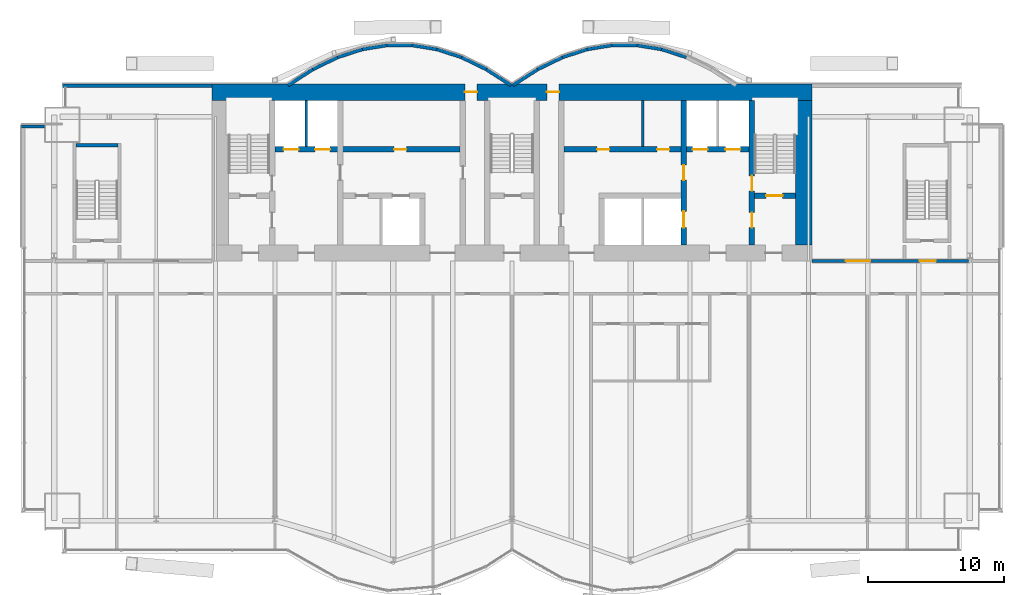
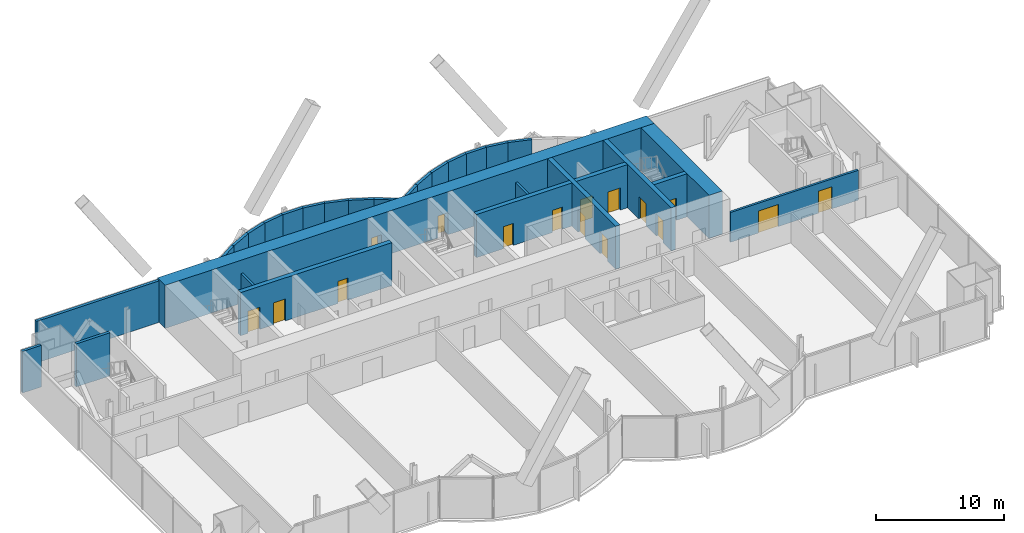
# One storey, part 18 of 22: 29 walls, 16 doors, 16 openings.
"""IFC4 building model written with IfcOpenShell, lengths in metres."""

import ifcopenshell
import ifcopenshell.guid

model = None  # the IFC model being written
_history = None  # IfcOwnerHistory: only IFC2X3 demands one
_inside = {}  # id of a spatial element -> (the spatial element, [elements in it])
_under = {}  # id of a project, library or spatial element -> (it, [spatial elements below it])
_declared = {}  # id of a project -> (the project, [libraries it declares])
_typed = {}  # id of a type object -> (the type object, [elements of that type])
_made_of = {}  # id of a material, layer set ... -> (it, [elements and type objects made of it])


def new_model(schema):
    """Start an empty IFC model of exactly this schema.

    Asked for "IFC4X3", IfcOpenShell would pick the latest addendum, in which some entities
    have other attributes; the version numbers below select the first issue.
    IFC2X3 requires an IfcOwnerHistory on every rooted entity: one is made here for all.
    """
    global model, _history
    if schema == "IFC4X3":
        model = ifcopenshell.file(schema_version=(4, 3, 0, 0))
    else:
        model = ifcopenshell.file(schema=schema)
    _inside.clear()
    _under.clear()
    _declared.clear()
    _typed.clear()
    _made_of.clear()
    _history = None
    if model.schema == "IFC2X3":
        org = make("IfcOrganization", Name="unknown")
        user = make(
            "IfcPersonAndOrganization",
            ThePerson=make("IfcPerson", FamilyName="unknown"),
            TheOrganization=org,
        )
        app = make(
            "IfcApplication",
            ApplicationDeveloper=org,
            Version="unknown",
            ApplicationFullName="unknown",
            ApplicationIdentifier="unknown",
        )
        _history = make(
            "IfcOwnerHistory",
            OwningUser=user,
            OwningApplication=app,
            ChangeAction="ADDED",
            CreationDate=0,
        )
    return model


def make(cls, **values):
    """One entity of the class cls with the attributes given. An attribute that is None is left unset."""
    return model.create_entity(
        cls, **{name: value for name, value in values.items() if value is not None}
    )


def rooted(cls, **values):
    """An entity with a GlobalId (a new one), such as an element, a storey or a relation."""
    return make(cls, GlobalId=ifcopenshell.guid.new(), OwnerHistory=_history, **values)


def si_unit(unit_type, name, prefix=None):
    """IfcSIUnit, for example si_unit("LENGTHUNIT", "METRE", prefix="MILLI")."""
    return make("IfcSIUnit", UnitType=unit_type, Prefix=prefix, Name=name)


def assignment(units):
    """IfcUnitAssignment: the units of a project."""
    return None if units is None else make("IfcUnitAssignment", Units=units)


def point(xyz):
    """IfcCartesianPoint."""
    return None if xyz is None else make("IfcCartesianPoint", Coordinates=xyz)


def direction(xyz):
    """IfcDirection."""
    return None if xyz is None else make("IfcDirection", DirectionRatios=xyz)


def frame(location, z_axis=None, x_axis=None):
    """IfcAxis2Placement3D, a coordinate frame: its origin and axes. An axis left out is left unset."""
    return make(
        "IfcAxis2Placement3D",
        Location=point(location),
        Axis=direction(z_axis),
        RefDirection=direction(x_axis),
    )


def frame_2d(location, x_axis=None):
    """IfcAxis2Placement2D, a coordinate frame in the plane: its origin and x axis."""
    return make(
        "IfcAxis2Placement2D", Location=point(location), RefDirection=direction(x_axis)
    )


def origin():
    """The frame at (0, 0, 0) with its axes left unset."""
    return frame((0.0, 0.0, 0.0))


def place(relative_to, where):
    """IfcLocalPlacement: puts the frame where relative to a parent placement (None: the world)."""
    return make(
        "IfcLocalPlacement", PlacementRelTo=relative_to, RelativePlacement=where
    )


def context(
    kind, dimensions, precision=None, world=None, true_north=None, identifier=None
):
    """IfcGeometricRepresentationContext, for example the 3D "Model" context."""
    return make(
        "IfcGeometricRepresentationContext",
        ContextIdentifier=identifier,
        ContextType=kind,
        CoordinateSpaceDimension=dimensions,
        Precision=precision,
        WorldCoordinateSystem=world,
        TrueNorth=true_north,
    )


def subcontext(parent, identifier, kind, view, scale=None):
    """IfcGeometricRepresentationSubContext, for example "Body" below "Model"."""
    return make(
        "IfcGeometricRepresentationSubContext",
        ContextIdentifier=identifier,
        ContextType=kind,
        ParentContext=parent,
        TargetScale=scale,
        TargetView=view,
    )


def project(units=None, contexts=None):
    """IfcProject with its units and contexts."""
    return rooted(
        "IfcProject",
        Name="project",
        RepresentationContexts=contexts,
        UnitsInContext=assignment(units),
    )


def spatial(cls, under=None, at=None, **own):
    """A site, building, storey or space (cls), placed at a placement, below another one or the project."""
    s = rooted(cls, ObjectPlacement=at, **own)
    if under is not None:
        _under.setdefault(under.id(), (under, []))[1].append(s)
    return s


def profile(cls, at=None, kind="AREA", **sizes):
    """A parametric profile (cls). Its sizes go by their IFC names, for example OverallWidth=200.0."""
    return make(cls, ProfileType=kind, Position=at, **sizes)


def rectangle(**sizes):
    """IfcRectangleProfileDef."""
    return profile("IfcRectangleProfileDef", **sizes)


def extrude(swept, where, along, depth):
    """IfcExtrudedAreaSolid: the profile swept, set in the frame where, extruded along a direction by depth."""
    return make(
        "IfcExtrudedAreaSolid",
        SweptArea=swept,
        Position=where,
        ExtrudedDirection=direction(along),
        Depth=depth,
    )


def shape(context_of_items, identifier, shape_type, items):
    """IfcShapeRepresentation: the items that make up one representation, for example the "Body"."""
    return make(
        "IfcShapeRepresentation",
        ContextOfItems=context_of_items,
        RepresentationIdentifier=identifier,
        RepresentationType=shape_type,
        Items=items,
    )


def material(Name=None, Category=None):
    """IfcMaterial."""
    return make("IfcMaterial", Name=Name, Category=Category)


def layer(
    of_material, thickness, ventilated=None, Name=None, Category=None, Priority=None
):
    """IfcMaterialLayer: one layer of a wall or slab, of a material (None: an air gap)."""
    return make(
        "IfcMaterialLayer",
        Material=of_material,
        LayerThickness=thickness,
        IsVentilated=ventilated,
        Name=Name,
        Category=Category,
        Priority=Priority,
    )


def layer_set(layers, Name=None):
    """IfcMaterialLayerSet."""
    return make("IfcMaterialLayerSet", MaterialLayers=layers, LayerSetName=Name)


def layer_usage(for_layer_set, set_direction, sense, offset, extent=None):
    """IfcMaterialLayerSetUsage: how a layer set lies in its element."""
    return make(
        "IfcMaterialLayerSetUsage",
        ForLayerSet=for_layer_set,
        LayerSetDirection=set_direction,
        DirectionSense=sense,
        OffsetFromReferenceLine=offset,
        ReferenceExtent=extent,
    )


def made_of(thing, what):
    """Note that an element or type object is made of a material, layer set ...; save() writes the relation."""
    if what is not None:
        _made_of.setdefault(what.id(), (what, []))[1].append(thing)
    return thing


def type_object(cls, material=None, **own):
    """A type object (cls), such as IfcWallType, which elements share."""
    return made_of(rooted(cls, **own), material)


def element(
    cls,
    number,
    at=None,
    inside=None,
    cuts=None,
    type_object=None,
    material=None,
    context=None,
    identifier="Body",
    shape_type=None,
    held_by="IfcProductDefinitionShape",
    body=None,
    shapes=None,
    **own,
):
    """One element of the class cls, such as IfcWall. Its Tag is "e" and its number.

    at: its placement. inside: the storey or other place that contains it. cuts: it is an
    opening in that element (IfcRelVoidsElement). A single representation is given by context,
    identifier, shape_type and body (its items); several are given by shapes. held_by: the class
    of the entity that holds the representations. save() writes the other relations.
    """
    e = rooted(cls, Tag="e%d" % number, ObjectPlacement=at, **own)
    if body is not None:
        shapes = [shape(context, identifier, shape_type, body)]
    if shapes is not None:
        e.Representation = make(held_by, Representations=shapes)
    if inside is not None:
        _inside.setdefault(inside.id(), (inside, []))[1].append(e)
    if cuts is not None:
        rooted(
            "IfcRelVoidsElement", RelatingBuildingElement=cuts, RelatedOpeningElement=e
        )
    if type_object is not None:
        _typed.setdefault(type_object.id(), (type_object, []))[1].append(e)
    return made_of(e, material)


def fill(opening, filler):
    """IfcRelFillsElement: the door or window that sits in an opening."""
    return rooted(
        "IfcRelFillsElement",
        RelatingOpeningElement=opening,
        RelatedBuildingElement=filler,
    )


def aggregate(whole, parts):
    """IfcRelAggregates: a whole, such as a stair, and the parts it consists of."""
    return rooted("IfcRelAggregates", RelatingObject=whole, RelatedObjects=parts)


def save(model, path):
    """Write the relations noted so far, then the file.

    IfcRelAggregates (storeys below a building ...), IfcRelContainedInSpatialStructure (elements
    in a storey), IfcRelDefinesByType, IfcRelAssociatesMaterial and IfcRelDeclares: one each for
    every whole, place, type object, material and project.
    """
    for whole, parts in _under.values():
        aggregate(whole, parts)
    for where, things in _inside.values():
        rooted(
            "IfcRelContainedInSpatialStructure",
            RelatedElements=things,
            RelatingStructure=where,
        )
    for kind, things in _typed.values():
        rooted("IfcRelDefinesByType", RelatedObjects=things, RelatingType=kind)
    for what, things in _made_of.values():
        rooted("IfcRelAssociatesMaterial", RelatedObjects=things, RelatingMaterial=what)
    for by, libraries in _declared.values():
        rooted("IfcRelDeclares", RelatingContext=by, RelatedDefinitions=libraries)
    model.write(path)


model = new_model("IFC4")

# Units and contexts
model_context = context("Model", 3, precision=1e-05, world=origin(), true_north=direction((0.0, 1.0)))
body_context = subcontext(model_context, "Body", "Model", "MODEL_VIEW")
ifc_project = project(units=[si_unit("LENGTHUNIT", "METRE"), si_unit("AREAUNIT", "SQUARE_METRE"), si_unit("VOLUMEUNIT", "CUBIC_METRE"), si_unit("PLANEANGLEUNIT", "RADIAN"), si_unit("MASSUNIT", "GRAM", prefix="KILO")], contexts=[model_context])

# Site, building, storey
site_placement = place(None, origin())
site = spatial("IfcSite", under=ifc_project, at=site_placement, CompositionType="ELEMENT")
building_placement = place(site_placement, origin())
building = spatial("IfcBuilding", under=site, at=building_placement, Name="Bicima Exchange Tower", CompositionType="ELEMENT")
storey_placement = place(building_placement, frame((0.0, 0.0, 169.10009765625)))
storey = spatial("IfcBuildingStorey", under=building, at=storey_placement, Name="L37", CompositionType="ELEMENT", Elevation=169.10009765625)

# Wall
ifc_material_1 = material(Name="Gypsum board partition")
ifc_layer_1 = layer(ifc_material_1, 0.199951171875)
ifc_layer_set_1 = layer_set([ifc_layer_1], Name="Gypsum board partition")
wall_type_1 = type_object("IfcWallType", Name="Fire-rated gypsum partition 200 EI120", PredefinedType="PARTITIONING", material=ifc_layer_set_1)
wall_1_placement = place(storey_placement, frame((-15.10009765625, -4.60009765625, 0.0), z_axis=(0.0, 0.0, 1.0), x_axis=(0.0, 1.0, 0.0)))
element("IfcWall", 1, at=wall_1_placement, inside=storey, type_object=wall_type_1, Name="partition wall 9", PredefinedType="PARTITIONING", context=body_context, shape_type="SweptSolid", body=[
    extrude(rectangle(XDim=3.400146484375, YDim=0.199951171875, at=frame_2d((1.7001953125, 0.0))), origin(), (0.0, 0.0, 1.0), 2.840087890625),
])

# Wall, openings, doors
ifc_layer_2 = layer(ifc_material_1, 0.199951171875)
ifc_layer_set_2 = layer_set([ifc_layer_2], Name="Gypsum board partition")
wall_type_2 = type_object("IfcWallType", Name="Fire-rated gypsum partition 200 EI60", PredefinedType="PARTITIONING", material=ifc_layer_set_2)
wall_2_placement = place(storey_placement, frame((22.0, -13.0, 0.0), z_axis=(0.0, 0.0, 1.0), x_axis=(1.0, 0.0, 0.0)))
wall_2 = element("IfcWall", 2, at=wall_2_placement, inside=storey, type_object=wall_type_2, Name="partition wall 6", PredefinedType="PARTITIONING", context=body_context, shape_type="SweptSolid", body=[
    extrude(rectangle(XDim=11.47998046875, YDim=0.199951171875, at=frame_2d((5.739990234375, 0.0))), origin(), (0.0, 0.0, 1.0), 2.840087890625),
])
opening_1_placement = place(wall_2_placement, frame((7.89990234375, 0.0, 0.0)))
opening_1 = element("IfcOpeningElement", 3, at=opening_1_placement, cuts=wall_2, Name="Opening L37-003", PredefinedType="OPENING", context=body_context, shape_type="SweptSolid", body=[
    extrude(rectangle(XDim=1.199951171875, YDim=2.10009765625, at=frame_2d((0.60009765625, 1.050048828125))), frame((0.0, 0.11181640625, 0.0), z_axis=(0.0, -1.0, 0.0), x_axis=(1.0, 0.0, 0.0)), (0.0, 0.0, 1.0), 0.223876953125),
])
opening_2_placement = place(wall_2_placement, frame((2.5, 0.0, 0.0)))
opening_2 = element("IfcOpeningElement", 4, at=opening_2_placement, cuts=wall_2, Name="Opening L37-006", PredefinedType="OPENING", context=body_context, shape_type="SweptSolid", body=[
    extrude(rectangle(XDim=1.800048828125, YDim=2.10009765625, at=frame_2d((0.89990234375, 1.050048828125))), frame((0.0, 0.11181640625, 0.0), z_axis=(0.0, -1.0, 0.0), x_axis=(1.0, 0.0, 0.0)), (0.0, 0.0, 1.0), 0.223876953125),
])
ifc_material_2 = material(Name="Steel fire door leaf", Category="steel")
door_type_1 = type_object("IfcDoorType", Name="Door 1200 swing FD30S", OperationType="SINGLE_SWING_LEFT", PredefinedType="DOOR", material=ifc_material_2)
door_1_placement = place(opening_1_placement, origin())
door_1 = element("IfcDoor", 5, at=door_1_placement, inside=storey, type_object=door_type_1, Name="Door", OperationType="SINGLE_SWING_RIGHT", OverallHeight=2.10009765625, OverallWidth=1.199951171875, PredefinedType="DOOR", context=body_context, shape_type="SweptSolid", body=[
    extrude(rectangle(XDim=1.199951171875, YDim=2.10009765625, at=frame_2d((0.60009765625, 1.050048828125))), frame((0.0, 0.02490234375, 0.0), z_axis=(0.0, -1.0, 0.0), x_axis=(1.0, 0.0, 0.0)), (0.0, 0.0, 1.0), 0.050048828125),
])
fill(opening_1, door_1)
door_type_2 = type_object("IfcDoorType", Name="Door 1800 double swing FD30S", OperationType="DOUBLE_DOOR_SINGLE_SWING", PredefinedType="DOOR", material=ifc_material_2)
door_2_placement = place(opening_2_placement, origin())
door_2 = element("IfcDoor", 6, at=door_2_placement, inside=storey, type_object=door_type_2, Name="Door", OperationType="SINGLE_SWING_LEFT", OverallHeight=2.10009765625, OverallWidth=1.800048828125, PredefinedType="DOOR", context=body_context, shape_type="SweptSolid", body=[
    extrude(rectangle(XDim=1.800048828125, YDim=2.10009765625, at=frame_2d((0.89990234375, 1.050048828125))), frame((0.0, 0.02490234375, 0.0), z_axis=(0.0, -1.0, 0.0), x_axis=(1.0, 0.0, 0.0)), (0.0, 0.0, 1.0), 0.050048828125),
])
fill(opening_2, door_2)

# Wall
wall_3_placement = place(storey_placement, frame((9.60009765625, -4.60009765625, 0.0), z_axis=(0.0, 0.0, 1.0), x_axis=(0.0, 1.0, 0.0)))
element("IfcWall", 7, at=wall_3_placement, inside=storey, type_object=wall_type_2, Name="partition wall 19", PredefinedType="PARTITIONING", context=body_context, shape_type="SweptSolid", body=[
    extrude(rectangle(XDim=3.400146484375, YDim=0.199951171875, at=frame_2d((1.7001953125, 0.0))), origin(), (0.0, 0.0, 1.0), 2.840087890625),
])

# Wall, openings, doors
ifc_material_3 = material(Name="Concrete C50/60", Category="concrete")
ifc_layer_3 = layer(ifc_material_3, 1.199951171875)
ifc_layer_set_3 = layer_set([ifc_layer_3], Name="Concrete C50/60")
wall_type_3 = type_object("IfcWallType", Name="RC core wall 1200 C50/60", PredefinedType="SHEAR", material=ifc_layer_set_3)
wall_4_placement = place(storey_placement, frame((-22.0, -0.60009765625, 0.0), z_axis=(0.0, 0.0, 1.0), x_axis=(1.0, 0.0, 0.0)))
wall_4 = element("IfcWall", 8, at=wall_4_placement, inside=storey, type_object=wall_type_3, Name="Core wall north", PredefinedType="SHEAR", context=body_context, shape_type="SweptSolid", body=[
    extrude(rectangle(XDim=44.0, YDim=1.199951171875, at=frame_2d((22.0, 0.0))), origin(), (0.0, 0.0, 1.0), 4.099853515625),
])
opening_3_placement = place(wall_4_placement, frame((18.550048828125, 0.0, 0.0)))
opening_3 = element("IfcOpeningElement", 9, at=opening_3_placement, cuts=wall_4, Name="Opening L37-C16", PredefinedType="OPENING", context=body_context, shape_type="SweptSolid", body=[
    extrude(rectangle(XDim=0.89990234375, YDim=2.10009765625, at=frame_2d((0.449951171875, 1.050048828125))), frame((0.0, 0.61181640625, 0.0), z_axis=(0.0, -1.0, 0.0), x_axis=(1.0, 0.0, 0.0)), (0.0, 0.0, 1.0), 1.223876953125),
])
opening_4_placement = place(wall_4_placement, frame((24.550048828125, 0.0, 0.0)))
opening_4 = element("IfcOpeningElement", 10, at=opening_4_placement, cuts=wall_4, Name="Opening L37-C17", PredefinedType="OPENING", context=body_context, shape_type="SweptSolid", body=[
    extrude(rectangle(XDim=0.89990234375, YDim=2.10009765625, at=frame_2d((0.449951171875, 1.050048828125))), frame((0.0, 0.61181640625, 0.0), z_axis=(0.0, -1.0, 0.0), x_axis=(1.0, 0.0, 0.0)), (0.0, 0.0, 1.0), 1.223876953125),
])
door_type_3 = type_object("IfcDoorType", Name="Door 900 swing FD30S", OperationType="SINGLE_SWING_LEFT", PredefinedType="DOOR", material=ifc_material_2)
door_3_placement = place(opening_3_placement, origin())
door_3 = element("IfcDoor", 11, at=door_3_placement, inside=storey, type_object=door_type_3, Name="Core door", OperationType="SINGLE_SWING_LEFT", OverallHeight=2.10009765625, OverallWidth=0.89990234375, PredefinedType="DOOR", context=body_context, shape_type="SweptSolid", body=[
    extrude(rectangle(XDim=0.89990234375, YDim=2.10009765625, at=frame_2d((0.449951171875, 1.050048828125))), frame((0.0, 0.02490234375, 0.0), z_axis=(0.0, -1.0, 0.0), x_axis=(1.0, 0.0, 0.0)), (0.0, 0.0, 1.0), 0.050048828125),
])
fill(opening_3, door_3)
door_4_placement = place(opening_4_placement, origin())
door_4 = element("IfcDoor", 12, at=door_4_placement, inside=storey, type_object=door_type_3, Name="Core door", OperationType="SINGLE_SWING_LEFT", OverallHeight=2.10009765625, OverallWidth=0.89990234375, PredefinedType="DOOR", context=body_context, shape_type="SweptSolid", body=[
    extrude(rectangle(XDim=0.89990234375, YDim=2.10009765625, at=frame_2d((0.449951171875, 1.050048828125))), frame((0.0, 0.02490234375, 0.0), z_axis=(0.0, -1.0, 0.0), x_axis=(1.0, 0.0, 0.0)), (0.0, 0.0, 1.0), 0.050048828125),
])
fill(opening_4, door_4)

# Wall
wall_5_placement = place(storey_placement, frame((21.39990234375, -11.800048828125, 0.0), z_axis=(0.0, 0.0, 1.0), x_axis=(0.0, 1.0, 0.0)))
element("IfcWall", 13, at=wall_5_placement, inside=storey, type_object=wall_type_3, Name="Core wall east", PredefinedType="SHEAR", context=body_context, shape_type="SweptSolid", body=[
    extrude(rectangle(XDim=10.60009765625, YDim=1.199951171875, at=frame_2d((5.300048828125, 0.0))), origin(), (0.0, 0.0, 1.0), 4.099853515625),
])

# Wall, opening, door
ifc_layer_4 = layer(ifc_material_3, 0.39990234375)
ifc_layer_set_4 = layer_set([ifc_layer_4], Name="Concrete C50/60")
wall_type_4 = type_object("IfcWallType", Name="RC core wall 400 C50/60", PredefinedType="SHEAR", material=ifc_layer_set_4)
wall_6_placement = place(storey_placement, frame((17.800048828125, -8.199951171875, 0.0), z_axis=(0.0, 0.0, 1.0), x_axis=(1.0, 0.0, 0.0)))
wall_6 = element("IfcWall", 14, at=wall_6_placement, inside=storey, type_object=wall_type_4, Name="stair wall 5", PredefinedType="SHEAR", context=body_context, shape_type="SweptSolid", body=[
    extrude(rectangle(XDim=3.0, YDim=0.39990234375, at=frame_2d((1.5, 0.0))), origin(), (0.0, 0.0, 1.0), 4.099853515625),
])
opening_5_placement = place(wall_6_placement, frame((0.85009765625, 0.0, 0.0)))
opening_5 = element("IfcOpeningElement", 15, at=opening_5_placement, cuts=wall_6, Name="Opening L37-C04", PredefinedType="OPENING", context=body_context, shape_type="SweptSolid", body=[
    extrude(rectangle(XDim=1.199951171875, YDim=2.10009765625, at=frame_2d((0.60009765625, 1.050048828125))), frame((0.0, 0.2119140625, 0.0), z_axis=(0.0, -1.0, 0.0), x_axis=(1.0, 0.0, 0.0)), (0.0, 0.0, 1.0), 0.423828125),
])
door_type_4 = type_object("IfcDoorType", Name="Door 1200 swing FD60S", OperationType="SINGLE_SWING_LEFT", PredefinedType="DOOR", material=ifc_material_2)
door_5_placement = place(opening_5_placement, origin())
door_5 = element("IfcDoor", 16, at=door_5_placement, inside=storey, type_object=door_type_4, Name="Core door", OperationType="SINGLE_SWING_RIGHT", OverallHeight=2.10009765625, OverallWidth=1.199951171875, PredefinedType="DOOR", context=body_context, shape_type="SweptSolid", body=[
    extrude(rectangle(XDim=1.199951171875, YDim=2.10009765625, at=frame_2d((0.60009765625, 1.050048828125))), frame((0.0, 0.02490234375, 0.0), z_axis=(0.0, -1.0, 0.0), x_axis=(1.0, 0.0, 0.0)), (0.0, 0.0, 1.0), 0.050048828125),
])
fill(opening_5, door_5)

# Wall, openings, doors
wall_7_placement = place(storey_placement, frame((-17.39990234375, -4.800048828125, 0.0), z_axis=(0.0, 0.0, 1.0), x_axis=(1.0, 0.0, 0.0)))
wall_7 = element("IfcWall", 17, at=wall_7_placement, inside=storey, type_object=wall_type_4, Name="shear wall 6", PredefinedType="SHEAR", context=body_context, shape_type="SweptSolid", body=[
    extrude(rectangle(XDim=13.599853515625, YDim=0.39990234375, at=frame_2d((6.7998046875, 0.0))), origin(), (0.0, 0.0, 1.0), 4.099853515625),
])
opening_6_placement = place(wall_7_placement, frame((0.64990234375, 0.0, 0.0)))
opening_6 = element("IfcOpeningElement", 18, at=opening_6_placement, cuts=wall_7, Name="Opening LD-FF1-L37", PredefinedType="OPENING", context=body_context, shape_type="SweptSolid", body=[
    extrude(rectangle(XDim=1.10009765625, YDim=2.10009765625, at=frame_2d((0.550048828125, 1.050048828125))), frame((0.0, 0.2119140625, 0.0), z_axis=(0.0, -1.0, 0.0), x_axis=(1.0, 0.0, 0.0)), (0.0, 0.0, 1.0), 0.423828125),
])
opening_7_placement = place(wall_7_placement, frame((2.949951171875, 0.0, 0.0)))
opening_7 = element("IfcOpeningElement", 19, at=opening_7_placement, cuts=wall_7, Name="Opening LD-FF3-L37", PredefinedType="OPENING", context=body_context, shape_type="SweptSolid", body=[
    extrude(rectangle(XDim=1.10009765625, YDim=2.10009765625, at=frame_2d((0.550048828125, 1.050048828125))), frame((0.0, 0.2119140625, 0.0), z_axis=(0.0, -1.0, 0.0), x_axis=(1.0, 0.0, 0.0)), (0.0, 0.0, 1.0), 0.423828125),
])
opening_8_placement = place(wall_7_placement, frame((8.75, 0.0, 0.0)))
opening_8 = element("IfcOpeningElement", 20, at=opening_8_placement, cuts=wall_7, Name="Opening L37-C12", PredefinedType="OPENING", context=body_context, shape_type="SweptSolid", body=[
    extrude(rectangle(XDim=0.89990234375, YDim=2.10009765625, at=frame_2d((0.449951171875, 1.050048828125))), frame((0.0, 0.2119140625, 0.0), z_axis=(0.0, -1.0, 0.0), x_axis=(1.0, 0.0, 0.0)), (0.0, 0.0, 1.0), 0.423828125),
])
door_6_placement = place(opening_8_placement, origin())
door_6 = element("IfcDoor", 21, at=door_6_placement, inside=storey, type_object=door_type_3, Name="Core door", OperationType="SINGLE_SWING_RIGHT", OverallHeight=2.10009765625, OverallWidth=0.89990234375, PredefinedType="DOOR", context=body_context, shape_type="SweptSolid", body=[
    extrude(rectangle(XDim=0.89990234375, YDim=2.10009765625, at=frame_2d((0.449951171875, 1.050048828125))), frame((0.0, 0.02490234375, 0.0), z_axis=(0.0, -1.0, 0.0), x_axis=(1.0, 0.0, 0.0)), (0.0, 0.0, 1.0), 0.050048828125),
])
fill(opening_8, door_6)
ifc_material_4 = material(Name="Stainless steel", Category="steel")
door_type_5 = type_object("IfcDoorType", Name="Lift landing door 1100 sliding", OperationType="DOUBLE_DOOR_SLIDING", PredefinedType="DOOR", material=ifc_material_4)
door_7_placement = place(opening_6_placement, origin())
door_7 = element("IfcDoor", 22, at=door_7_placement, inside=storey, type_object=door_type_5, Name="Lift landing door FF1", OperationType="DOUBLE_DOOR_SLIDING", OverallHeight=2.10009765625, OverallWidth=1.10009765625, PredefinedType="DOOR", context=body_context, shape_type="SweptSolid", body=[
    extrude(rectangle(XDim=1.10009765625, YDim=2.10009765625, at=frame_2d((0.550048828125, 1.050048828125))), frame((0.0, 0.02490234375, 0.0), z_axis=(0.0, -1.0, 0.0), x_axis=(1.0, 0.0, 0.0)), (0.0, 0.0, 1.0), 0.050048828125),
])
fill(opening_6, door_7)
door_8_placement = place(opening_7_placement, origin())
door_8 = element("IfcDoor", 23, at=door_8_placement, inside=storey, type_object=door_type_5, Name="Lift landing door FF3", OperationType="DOUBLE_DOOR_SLIDING", OverallHeight=2.10009765625, OverallWidth=1.10009765625, PredefinedType="DOOR", context=body_context, shape_type="SweptSolid", body=[
    extrude(rectangle(XDim=1.10009765625, YDim=2.10009765625, at=frame_2d((0.550048828125, 1.050048828125))), frame((0.0, 0.02490234375, 0.0), z_axis=(0.0, -1.0, 0.0), x_axis=(1.0, 0.0, 0.0)), (0.0, 0.0, 1.0), 0.050048828125),
])
fill(opening_7, door_8)

wall_8_placement = place(storey_placement, frame((3.800048828125, -4.800048828125, 0.0), z_axis=(0.0, 0.0, 1.0), x_axis=(1.0, 0.0, 0.0)))
wall_8 = element("IfcWall", 24, at=wall_8_placement, inside=storey, type_object=wall_type_4, Name="shear wall 7", PredefinedType="SHEAR", context=body_context, shape_type="SweptSolid", body=[
    extrude(rectangle(XDim=13.599853515625, YDim=0.39990234375, at=frame_2d((6.7998046875, 0.0))), origin(), (0.0, 0.0, 1.0), 4.099853515625),
])
opening_9_placement = place(wall_8_placement, frame((9.449951171875, 0.0, 0.0)))
opening_9 = element("IfcOpeningElement", 25, at=opening_9_placement, cuts=wall_8, Name="Opening LD-FF2-L37", PredefinedType="OPENING", context=body_context, shape_type="SweptSolid", body=[
    extrude(rectangle(XDim=1.10009765625, YDim=2.10009765625, at=frame_2d((0.550048828125, 1.050048828125))), frame((0.0, 0.2119140625, 0.0), z_axis=(0.0, -1.0, 0.0), x_axis=(1.0, 0.0, 0.0)), (0.0, 0.0, 1.0), 0.423828125),
])
opening_10_placement = place(wall_8_placement, frame((11.85009765625, 0.0, 0.0)))
opening_10 = element("IfcOpeningElement", 26, at=opening_10_placement, cuts=wall_8, Name="Opening LD-SV1-L37", PredefinedType="OPENING", context=body_context, shape_type="SweptSolid", body=[
    extrude(rectangle(XDim=1.10009765625, YDim=2.10009765625, at=frame_2d((0.550048828125, 1.050048828125))), frame((0.0, 0.2119140625, 0.0), z_axis=(0.0, -1.0, 0.0), x_axis=(1.0, 0.0, 0.0)), (0.0, 0.0, 1.0), 0.423828125),
])
opening_11_placement = place(wall_8_placement, frame((2.449951171875, 0.0, 0.0)))
opening_11 = element("IfcOpeningElement", 27, at=opening_11_placement, cuts=wall_8, Name="Opening L37-C13", PredefinedType="OPENING", context=body_context, shape_type="SweptSolid", body=[
    extrude(rectangle(XDim=0.89990234375, YDim=2.10009765625, at=frame_2d((0.449951171875, 1.050048828125))), frame((0.0, 0.2119140625, 0.0), z_axis=(0.0, -1.0, 0.0), x_axis=(1.0, 0.0, 0.0)), (0.0, 0.0, 1.0), 0.423828125),
])
opening_12_placement = place(wall_8_placement, frame((6.85009765625, 0.0, 0.0)))
opening_12 = element("IfcOpeningElement", 28, at=opening_12_placement, cuts=wall_8, Name="Opening L37-C14", PredefinedType="OPENING", context=body_context, shape_type="SweptSolid", body=[
    extrude(rectangle(XDim=0.89990234375, YDim=2.10009765625, at=frame_2d((0.449951171875, 1.050048828125))), frame((0.0, 0.2119140625, 0.0), z_axis=(0.0, -1.0, 0.0), x_axis=(1.0, 0.0, 0.0)), (0.0, 0.0, 1.0), 0.423828125),
])
door_9_placement = place(opening_11_placement, origin())
door_9 = element("IfcDoor", 29, at=door_9_placement, inside=storey, type_object=door_type_3, Name="Core door", OperationType="SINGLE_SWING_LEFT", OverallHeight=2.10009765625, OverallWidth=0.89990234375, PredefinedType="DOOR", context=body_context, shape_type="SweptSolid", body=[
    extrude(rectangle(XDim=0.89990234375, YDim=2.10009765625, at=frame_2d((0.449951171875, 1.050048828125))), frame((0.0, 0.02490234375, 0.0), z_axis=(0.0, -1.0, 0.0), x_axis=(1.0, 0.0, 0.0)), (0.0, 0.0, 1.0), 0.050048828125),
])
fill(opening_11, door_9)
door_10_placement = place(opening_12_placement, origin())
door_10 = element("IfcDoor", 30, at=door_10_placement, inside=storey, type_object=door_type_3, Name="Core door", OperationType="SINGLE_SWING_RIGHT", OverallHeight=2.10009765625, OverallWidth=0.89990234375, PredefinedType="DOOR", context=body_context, shape_type="SweptSolid", body=[
    extrude(rectangle(XDim=0.89990234375, YDim=2.10009765625, at=frame_2d((0.449951171875, 1.050048828125))), frame((0.0, 0.02490234375, 0.0), z_axis=(0.0, -1.0, 0.0), x_axis=(1.0, 0.0, 0.0)), (0.0, 0.0, 1.0), 0.050048828125),
])
fill(opening_12, door_10)
door_11_placement = place(opening_9_placement, origin())
door_11 = element("IfcDoor", 31, at=door_11_placement, inside=storey, type_object=door_type_5, Name="Lift landing door FF2", OperationType="DOUBLE_DOOR_SLIDING", OverallHeight=2.10009765625, OverallWidth=1.10009765625, PredefinedType="DOOR", context=body_context, shape_type="SweptSolid", body=[
    extrude(rectangle(XDim=1.10009765625, YDim=2.10009765625, at=frame_2d((0.550048828125, 1.050048828125))), frame((0.0, 0.02490234375, 0.0), z_axis=(0.0, -1.0, 0.0), x_axis=(1.0, 0.0, 0.0)), (0.0, 0.0, 1.0), 0.050048828125),
])
fill(opening_9, door_11)
door_12_placement = place(opening_10_placement, origin())
door_12 = element("IfcDoor", 32, at=door_12_placement, inside=storey, type_object=door_type_5, Name="Lift landing door SV1", OperationType="DOUBLE_DOOR_SLIDING", OverallHeight=2.10009765625, OverallWidth=1.10009765625, PredefinedType="DOOR", context=body_context, shape_type="SweptSolid", body=[
    extrude(rectangle(XDim=1.10009765625, YDim=2.10009765625, at=frame_2d((0.550048828125, 1.050048828125))), frame((0.0, 0.02490234375, 0.0), z_axis=(0.0, -1.0, 0.0), x_axis=(1.0, 0.0, 0.0)), (0.0, 0.0, 1.0), 0.050048828125),
])
fill(opening_10, door_12)

wall_9_placement = place(storey_placement, frame((12.60009765625, -11.800048828125, 0.0), z_axis=(0.0, 0.0, 1.0), x_axis=(0.0, 1.0, 0.0)))
wall_9 = element("IfcWall", 33, at=wall_9_placement, inside=storey, type_object=wall_type_4, Name="shear wall 20", PredefinedType="SHEAR", context=body_context, shape_type="SweptSolid", body=[
    extrude(rectangle(XDim=10.60009765625, YDim=0.39990234375, at=frame_2d((5.300048828125, 0.0))), origin(), (0.0, 0.0, 1.0), 4.099853515625),
])
opening_13_placement = place(wall_9_placement, frame((1.25, 0.0, 0.0)))
opening_13 = element("IfcOpeningElement", 34, at=opening_13_placement, cuts=wall_9, Name="Opening LD-MB2-L37", PredefinedType="OPENING", context=body_context, shape_type="SweptSolid", body=[
    extrude(rectangle(XDim=1.199951171875, YDim=2.10009765625, at=frame_2d((0.60009765625, 1.050048828125))), frame((0.0, 0.2119140625, 0.0), z_axis=(0.0, -1.0, 0.0), x_axis=(1.0, 0.0, 0.0)), (0.0, 0.0, 1.0), 0.423828125),
])
opening_14_placement = place(wall_9_placement, frame((4.75, 0.0, 0.0)))
opening_14 = element("IfcOpeningElement", 35, at=opening_14_placement, cuts=wall_9, Name="Opening L37-C09", PredefinedType="OPENING", context=body_context, shape_type="SweptSolid", body=[
    extrude(rectangle(XDim=1.10009765625, YDim=2.10009765625, at=frame_2d((0.550048828125, 1.050048828125))), frame((0.0, 0.2119140625, 0.0), z_axis=(0.0, -1.0, 0.0), x_axis=(1.0, 0.0, 0.0)), (0.0, 0.0, 1.0), 0.423828125),
])
door_type_6 = type_object("IfcDoorType", Name="Door 1100 swing FD60S", OperationType="SINGLE_SWING_LEFT", PredefinedType="DOOR", material=ifc_material_2)
door_13_placement = place(opening_14_placement, frame((1.10009765625, 0.0, 0.0), z_axis=(0.0, 0.0, 1.0), x_axis=(-1.0, 0.0, 0.0)))
door_13 = element("IfcDoor", 36, at=door_13_placement, inside=storey, type_object=door_type_6, Name="Core door", OperationType="SINGLE_SWING_RIGHT", OverallHeight=2.10009765625, OverallWidth=1.10009765625, PredefinedType="DOOR", context=body_context, shape_type="SweptSolid", body=[
    extrude(rectangle(XDim=1.10009765625, YDim=2.10009765625, at=frame_2d((0.550048828125, 1.050048828125))), frame((0.0, 0.02490234375, 0.0), z_axis=(0.0, -1.0, 0.0), x_axis=(1.0, 0.0, 0.0)), (0.0, 0.0, 1.0), 0.050048828125),
])
fill(opening_14, door_13)
door_type_7 = type_object("IfcDoorType", Name="Lift landing door 1200 sliding", OperationType="DOUBLE_DOOR_SLIDING", PredefinedType="DOOR", material=ifc_material_4)
door_14_placement = place(opening_13_placement, origin())
door_14 = element("IfcDoor", 37, at=door_14_placement, inside=storey, type_object=door_type_7, Name="Lift landing door MB2", OperationType="DOUBLE_DOOR_SLIDING", OverallHeight=2.10009765625, OverallWidth=1.199951171875, PredefinedType="DOOR", context=body_context, shape_type="SweptSolid", body=[
    extrude(rectangle(XDim=1.199951171875, YDim=2.10009765625, at=frame_2d((0.60009765625, 1.050048828125))), frame((0.0, 0.02490234375, 0.0), z_axis=(0.0, -1.0, 0.0), x_axis=(1.0, 0.0, 0.0)), (0.0, 0.0, 1.0), 0.050048828125),
])
fill(opening_13, door_14)

wall_10_placement = place(storey_placement, frame((17.60009765625, -11.800048828125, 0.0), z_axis=(0.0, 0.0, 1.0), x_axis=(0.0, 1.0, 0.0)))
wall_10 = element("IfcWall", 38, at=wall_10_placement, inside=storey, type_object=wall_type_4, Name="stair wall 22", PredefinedType="SHEAR", context=body_context, shape_type="SweptSolid", body=[
    extrude(rectangle(XDim=10.60009765625, YDim=0.39990234375, at=frame_2d((5.300048828125, 0.0))), origin(), (0.0, 0.0, 1.0), 4.099853515625),
])
opening_15_placement = place(wall_10_placement, frame((1.25, 0.0, 0.0)))
opening_15 = element("IfcOpeningElement", 39, at=opening_15_placement, cuts=wall_10, Name="Opening L37-C05", PredefinedType="OPENING", context=body_context, shape_type="SweptSolid", body=[
    extrude(rectangle(XDim=1.10009765625, YDim=2.10009765625, at=frame_2d((0.550048828125, 1.050048828125))), frame((0.0, 0.2119140625, 0.0), z_axis=(0.0, -1.0, 0.0), x_axis=(1.0, 0.0, 0.0)), (0.0, 0.0, 1.0), 0.423828125),
])
opening_16_placement = place(wall_10_placement, frame((3.949951171875, 0.0, 0.0)))
opening_16 = element("IfcOpeningElement", 40, at=opening_16_placement, cuts=wall_10, Name="Opening L37-C08", PredefinedType="OPENING", context=body_context, shape_type="SweptSolid", body=[
    extrude(rectangle(XDim=1.10009765625, YDim=2.10009765625, at=frame_2d((0.550048828125, 1.050048828125))), frame((0.0, 0.2119140625, 0.0), z_axis=(0.0, -1.0, 0.0), x_axis=(1.0, 0.0, 0.0)), (0.0, 0.0, 1.0), 0.423828125),
])
door_15_placement = place(opening_15_placement, origin())
door_15 = element("IfcDoor", 41, at=door_15_placement, inside=storey, type_object=door_type_6, Name="Core door", OperationType="SINGLE_SWING_LEFT", OverallHeight=2.10009765625, OverallWidth=1.10009765625, PredefinedType="DOOR", context=body_context, shape_type="SweptSolid", body=[
    extrude(rectangle(XDim=1.10009765625, YDim=2.10009765625, at=frame_2d((0.550048828125, 1.050048828125))), frame((0.0, 0.02490234375, 0.0), z_axis=(0.0, -1.0, 0.0), x_axis=(1.0, 0.0, 0.0)), (0.0, 0.0, 1.0), 0.050048828125),
])
fill(opening_15, door_15)
door_16_placement = place(opening_16_placement, origin())
door_16 = element("IfcDoor", 42, at=door_16_placement, inside=storey, type_object=door_type_6, Name="Core door", OperationType="SINGLE_SWING_RIGHT", OverallHeight=2.10009765625, OverallWidth=1.10009765625, PredefinedType="DOOR", context=body_context, shape_type="SweptSolid", body=[
    extrude(rectangle(XDim=1.10009765625, YDim=2.10009765625, at=frame_2d((0.550048828125, 1.050048828125))), frame((0.0, 0.02490234375, 0.0), z_axis=(0.0, -1.0, 0.0), x_axis=(1.0, 0.0, 0.0)), (0.0, 0.0, 1.0), 0.050048828125),
])
fill(opening_16, door_16)

# Walls
ifc_layer_5 = layer(ifc_material_3, 0.25)
ifc_layer_set_5 = layer_set([ifc_layer_5], Name="Concrete C50/60")
wall_type_5 = type_object("IfcWallType", Name="RC stair enclosure wall 250 C50/60", PredefinedType="SHEAR", material=ifc_layer_set_5)
wall_11_placement = place(storey_placement, frame((-31.97509765625, -4.5, 0.0), z_axis=(0.0, 0.0, 1.0), x_axis=(1.0, 0.0, 0.0)))
element("IfcWall", 43, at=wall_11_placement, inside=storey, type_object=wall_type_5, Name="West end exit stair wall N", PredefinedType="SHEAR", context=body_context, shape_type="SweptSolid", body=[
    extrude(rectangle(XDim=3.050048828125, YDim=0.25, at=frame_2d((1.52490234375, 0.0))), origin(), (0.0, 0.0, 1.0), 4.099853515625),
])
ifc_material_5 = material(Name="Concrete C40/50", Category="concrete")
ifc_layer_6 = layer(ifc_material_5, 0.25)
ifc_layer_set_6 = layer_set([ifc_layer_6], Name="Concrete C40/50")
ifc_layer_usage = layer_usage(ifc_layer_set_6, "AXIS2", "POSITIVE", -0.125)
wall_type_6 = type_object("IfcWallType", Name="Rear backup wall 250", PredefinedType="STANDARD", material=ifc_layer_set_6)
wall_12_placement = place(storey_placement, frame((12.794921875, 1.955078125, 0.0), z_axis=(0.0, 0.0, 1.0), x_axis=(-0.951495806175, 0.307661714928, 0.0)))
element("IfcWall", 44, at=wall_12_placement, inside=storey, type_object=wall_type_6, material=ifc_layer_usage, Name="Rear backup wall L37 4", PredefinedType="STANDARD", context=body_context, shape_type="SweptSolid", body=[
    extrude(rectangle(XDim=1.9267578125, YDim=0.25, at=frame_2d((0.96337890625, 0.0))), origin(), (0.0, 0.0, 1.0), 3.949951171875),
])
wall_13_placement = place(storey_placement, frame((10.97998046875, 2.543212890625, 0.0), z_axis=(0.0, 0.0, 1.0), x_axis=(-0.987181718931, 0.159600293885, 0.0)))
element("IfcWall", 45, at=wall_13_placement, inside=storey, type_object=wall_type_6, material=ifc_layer_usage, Name="Rear backup wall L37 5", PredefinedType="STANDARD", context=body_context, shape_type="SweptSolid", body=[
    extrude(rectangle(XDim=1.857177734375, YDim=0.25, at=frame_2d((0.9287109375, 0.0))), origin(), (0.0, 0.0, 1.0), 3.949951171875),
])
wall_14_placement = place(storey_placement, frame((9.166748046875, 2.837890625, 0.0), z_axis=(0.0, 0.0, 1.0), x_axis=(-1.0, 0.0, 0.0)))
element("IfcWall", 46, at=wall_14_placement, inside=storey, type_object=wall_type_6, material=ifc_layer_usage, Name="Rear backup wall L37 6", PredefinedType="STANDARD", context=body_context, shape_type="SweptSolid", body=[
    extrude(rectangle(XDim=1.83349609375, YDim=0.25, at=frame_2d((0.916748046875, 0.0))), origin(), (0.0, 0.0, 1.0), 3.949951171875),
])
wall_15_placement = place(storey_placement, frame((7.353271484375, 2.839599609375, 0.0), z_axis=(0.0, 0.0, 1.0), x_axis=(-0.987181718931, -0.159600293885, 0.0)))
element("IfcWall", 47, at=wall_15_placement, inside=storey, type_object=wall_type_6, material=ifc_layer_usage, Name="Rear backup wall L37 7", PredefinedType="STANDARD", context=body_context, shape_type="SweptSolid", body=[
    extrude(rectangle(XDim=1.857177734375, YDim=0.25, at=frame_2d((0.9287109375, 0.0))), origin(), (0.0, 0.0, 1.0), 3.949951171875),
])
wall_16_placement = place(storey_placement, frame((5.538330078125, 2.5478515625, 0.0), z_axis=(0.0, 0.0, 1.0), x_axis=(-0.951495806175, -0.307661714928, 0.0)))
element("IfcWall", 48, at=wall_16_placement, inside=storey, type_object=wall_type_6, material=ifc_layer_usage, Name="Rear backup wall L37 8", PredefinedType="STANDARD", context=body_context, shape_type="SweptSolid", body=[
    extrude(rectangle(XDim=1.9267578125, YDim=0.25, at=frame_2d((0.96337890625, 0.0))), origin(), (0.0, 0.0, 1.0), 3.949951171875),
])
wall_17_placement = place(storey_placement, frame((3.72119140625, 1.961669921875, 0.0), z_axis=(0.0, 0.0, 1.0), x_axis=(-0.89982408427, -0.436252928206, 0.0)))
element("IfcWall", 49, at=wall_17_placement, inside=storey, type_object=wall_type_6, material=ifc_layer_usage, Name="Rear backup wall L37 9", PredefinedType="STANDARD", context=body_context, shape_type="SweptSolid", body=[
    extrude(rectangle(XDim=2.03759765625, YDim=0.25, at=frame_2d((1.018798828125, 0.0))), origin(), (0.0, 0.0, 1.0), 3.949951171875),
])
for number, where, z_axis, x_axis, name in (
    (50, (1.901123046875, 1.080078125, 0.0), (0.0, 0.0, 1.0), (-0.83981312244, -0.542875602121, 0.0), "Rear backup wall L37 10"),
    (51, (-0.06787109375, -0.10498046875, 0.0), (0.0, 0.0, 1.0), (-0.83981312244, 0.542875602121, 0.0), "Rear backup wall L37 11"),
):
    element("IfcWall", number, at=place(storey_placement, frame(where, z_axis=z_axis, x_axis=x_axis)), inside=storey, type_object=wall_type_6, material=ifc_layer_usage, Name=name, PredefinedType="STANDARD", context=body_context, shape_type="SweptSolid", body=[
        extrude(rectangle(XDim=2.182861328125, YDim=0.25, at=frame_2d((1.09130859375, 0.0))), origin(), (0.0, 0.0, 1.0), 3.949951171875),
    ])
wall_18_placement = place(storey_placement, frame((-1.8876953125, 1.07275390625, 0.0), z_axis=(0.0, 0.0, 1.0), x_axis=(-0.89982408427, 0.436252928206, 0.0)))
element("IfcWall", 52, at=wall_18_placement, inside=storey, type_object=wall_type_6, material=ifc_layer_usage, Name="Rear backup wall L37 12", PredefinedType="STANDARD", context=body_context, shape_type="SweptSolid", body=[
    extrude(rectangle(XDim=2.03759765625, YDim=0.25, at=frame_2d((1.018798828125, 0.0))), origin(), (0.0, 0.0, 1.0), 3.949951171875),
])
wall_19_placement = place(storey_placement, frame((-3.705078125, 1.955078125, 0.0), z_axis=(0.0, 0.0, 1.0), x_axis=(-0.951495806175, 0.307661714928, 0.0)))
element("IfcWall", 53, at=wall_19_placement, inside=storey, type_object=wall_type_6, material=ifc_layer_usage, Name="Rear backup wall L37 13", PredefinedType="STANDARD", context=body_context, shape_type="SweptSolid", body=[
    extrude(rectangle(XDim=1.9267578125, YDim=0.25, at=frame_2d((0.96337890625, 0.0))), origin(), (0.0, 0.0, 1.0), 3.949951171875),
])
wall_20_placement = place(storey_placement, frame((-5.52001953125, 2.543212890625, 0.0), z_axis=(0.0, 0.0, 1.0), x_axis=(-0.987181718931, 0.159600293885, 0.0)))
element("IfcWall", 54, at=wall_20_placement, inside=storey, type_object=wall_type_6, material=ifc_layer_usage, Name="Rear backup wall L37 14", PredefinedType="STANDARD", context=body_context, shape_type="SweptSolid", body=[
    extrude(rectangle(XDim=1.857177734375, YDim=0.25, at=frame_2d((0.9287109375, 0.0))), origin(), (0.0, 0.0, 1.0), 3.949951171875),
])
wall_21_placement = place(storey_placement, frame((-7.333251953125, 2.837890625, 0.0), z_axis=(0.0, 0.0, 1.0), x_axis=(-1.0, 0.0, 0.0)))
element("IfcWall", 55, at=wall_21_placement, inside=storey, type_object=wall_type_6, material=ifc_layer_usage, Name="Rear backup wall L37 15", PredefinedType="STANDARD", context=body_context, shape_type="SweptSolid", body=[
    extrude(rectangle(XDim=1.83349609375, YDim=0.25, at=frame_2d((0.916748046875, 0.0))), origin(), (0.0, 0.0, 1.0), 3.949951171875),
])
wall_22_placement = place(storey_placement, frame((-9.146728515625, 2.839599609375, 0.0), z_axis=(0.0, 0.0, 1.0), x_axis=(-0.987181718931, -0.159600293885, 0.0)))
element("IfcWall", 56, at=wall_22_placement, inside=storey, type_object=wall_type_6, material=ifc_layer_usage, Name="Rear backup wall L37 16", PredefinedType="STANDARD", context=body_context, shape_type="SweptSolid", body=[
    extrude(rectangle(XDim=1.857177734375, YDim=0.25, at=frame_2d((0.9287109375, 0.0))), origin(), (0.0, 0.0, 1.0), 3.949951171875),
])
wall_23_placement = place(storey_placement, frame((-10.961669921875, 2.5478515625, 0.0), z_axis=(0.0, 0.0, 1.0), x_axis=(-0.951495806175, -0.307661714928, 0.0)))
element("IfcWall", 57, at=wall_23_placement, inside=storey, type_object=wall_type_6, material=ifc_layer_usage, Name="Rear backup wall L37 17", PredefinedType="STANDARD", context=body_context, shape_type="SweptSolid", body=[
    extrude(rectangle(XDim=1.9267578125, YDim=0.25, at=frame_2d((0.96337890625, 0.0))), origin(), (0.0, 0.0, 1.0), 3.949951171875),
])
wall_24_placement = place(storey_placement, frame((-12.77880859375, 1.961669921875, 0.0), z_axis=(0.0, 0.0, 1.0), x_axis=(-0.89982408427, -0.436252928206, 0.0)))
element("IfcWall", 58, at=wall_24_placement, inside=storey, type_object=wall_type_6, material=ifc_layer_usage, Name="Rear backup wall L37 18", PredefinedType="STANDARD", context=body_context, shape_type="SweptSolid", body=[
    extrude(rectangle(XDim=2.03759765625, YDim=0.25, at=frame_2d((1.018798828125, 0.0))), origin(), (0.0, 0.0, 1.0), 3.949951171875),
])
wall_25_placement = place(storey_placement, frame((-14.598876953125, 1.080078125, 0.0), z_axis=(0.0, 0.0, 1.0), x_axis=(-0.83981312244, -0.542875602121, 0.0)))
element("IfcWall", 59, at=wall_25_placement, inside=storey, type_object=wall_type_6, material=ifc_layer_usage, Name="Rear backup wall L37 19", PredefinedType="STANDARD", context=body_context, shape_type="SweptSolid", body=[
    extrude(rectangle(XDim=2.182861328125, YDim=0.25, at=frame_2d((1.09130859375, 0.0))), origin(), (0.0, 0.0, 1.0), 3.949951171875),
])
wall_26_placement = place(storey_placement, frame((-22.0, -0.125, 0.0), z_axis=(0.0, 0.0, 1.0), x_axis=(-1.0, 0.0, 0.0)))
element("IfcWall", 60, at=wall_26_placement, inside=storey, type_object=wall_type_6, material=ifc_layer_usage, Name="Rear backup wall L37 20", PredefinedType="STANDARD", context=body_context, shape_type="SweptSolid", body=[
    extrude(rectangle(XDim=11.0, YDim=0.25, at=frame_2d((5.5, 0.0))), origin(), (0.0, 0.0, 1.0), 3.949951171875),
])
wall_27_placement = place(storey_placement, frame((-34.300048828125, -3.125, 0.0), z_axis=(0.0, 0.0, 1.0), x_axis=(-1.0, 0.0, 0.0)))
element("IfcWall", 61, at=wall_27_placement, inside=storey, type_object=wall_type_6, material=ifc_layer_usage, Name="Rear backup wall L37 22", PredefinedType="STANDARD", context=body_context, shape_type="SweptSolid", body=[
    extrude(rectangle(XDim=1.699951171875, YDim=0.25, at=frame_2d((0.85009765625, 0.0))), origin(), (0.0, 0.0, 1.0), 3.949951171875),
])

save(model, "model.ifc")
